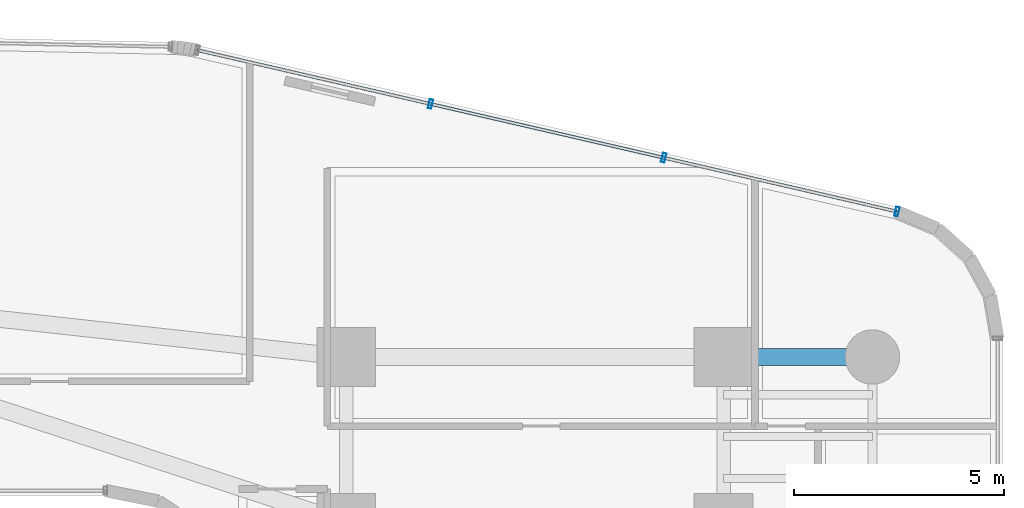
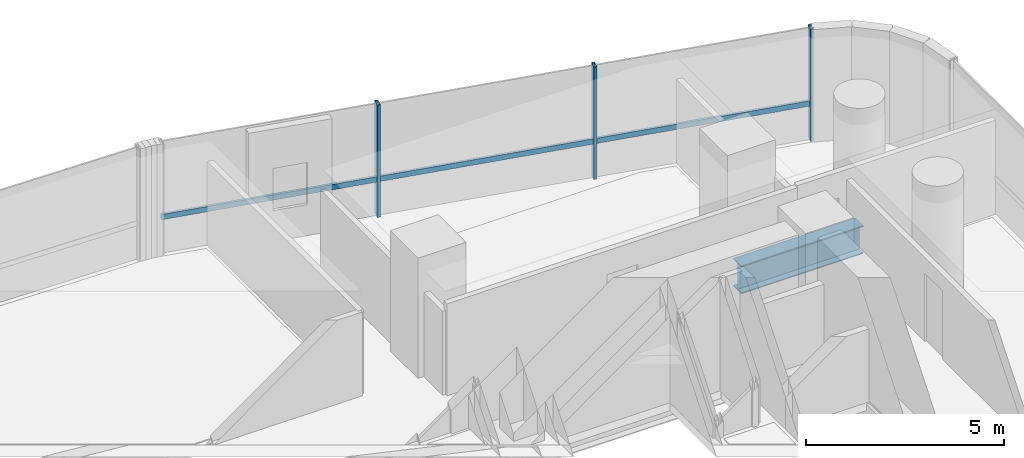
# One storey, part 24 of 39: 4 members, 1 beam, 1 element without a shape of its own.
"""IFC4 building model written with IfcOpenShell, lengths in metres."""

from ifc_helpers import new_model, si_unit, direction, frame, origin, origin_2d, place, context, subcontext, project, spatial, hollow_rectangle, i_section, extrude, source, transform, mapped, material, material_profile, profile_set, type_object, element, aggregate, save


model = new_model("IFC4")

# Units and contexts
model_context = context("Model", 3, precision=1e-05, world=origin(), true_north=direction((0.0, 1.0)))
body_context = subcontext(model_context, "Body", "Model", "MODEL_VIEW")
ifc_project = project(units=[si_unit("LENGTHUNIT", "METRE"), si_unit("AREAUNIT", "SQUARE_METRE"), si_unit("VOLUMEUNIT", "CUBIC_METRE"), si_unit("PLANEANGLEUNIT", "RADIAN"), si_unit("MASSUNIT", "GRAM", prefix="KILO")], contexts=[model_context])

# Site, building, storey
site_placement = place(None, origin())
site = spatial("IfcSite", under=ifc_project, at=site_placement, CompositionType="ELEMENT")
building_placement = place(site_placement, origin())
building = spatial("IfcBuilding", under=site, at=building_placement, Name="Valdorenza Pilgrim Sanctuary Tower", CompositionType="ELEMENT")
storey_placement = place(building_placement, frame((0.0, 0.0, 33.39990234375)))
storey = spatial("IfcBuildingStorey", under=building, at=storey_placement, Name="L07", CompositionType="ELEMENT", Elevation=33.39990234375)

# Beam
ifc_material_1 = material(Name="Steel ASTM A992 Grade 50", Category="steel")
ifc_material_profile_1 = material_profile(ifc_material_1, i_section(OverallWidth=0.39990234375, OverallDepth=0.862060546875, WebThickness=0.019775390625, FlangeThickness=0.032470703125, at=origin_2d()), Name="W33X221")
ifc_profile_set_1 = profile_set([ifc_material_profile_1], Name="Steel ASTM A992 Grade 50")
beam_type = type_object("IfcBeamType", Name="STR-BM-GRD-W33", PredefinedType="BEAM", material=ifc_profile_set_1)
shared_shape_1 = source(origin(), body_context, "Body", "SweptSolid", [
    extrude(i_section(OverallWidth=0.39990234375, OverallDepth=0.862060546875, WebThickness=0.019775390625, FlangeThickness=0.032470703125, at=origin_2d()), origin(), (0.0, 0.0, 1.0), 3.5498046875),
])
beam_placement = place(storey_placement, frame((24.85009765625, 13.5, -0.6708984375), z_axis=(1.0, 0.0, 0.0), x_axis=(0.0, 1.0, 0.0)))
element("IfcBeam", 1, at=beam_placement, inside=storey, type_object=beam_type, Name="L07 Floor Girder WB-XE-N2", PredefinedType="BEAM", context=body_context, shape_type="MappedRepresentation", body=[
    mapped(shared_shape_1, transform((0.0, 0.0, 0.0), x_axis=(1.0, 0.0, 0.0), y_axis=(0.0, 1.0, 0.0), z_axis=(0.0, 0.0, 1.0), scale=1.0)),
])

# Curtain wall, members
ifc_material_2 = material(Name="Curtain-wall IGU glazing", Category="glass")
curtain_wall_type = type_object("IfcCurtainWallType", Name="CW-SYS-03", PredefinedType="NOTDEFINED", material=ifc_material_2)
curtain_wall_placement = place(storey_placement, origin())
curtain_wall = element("IfcCurtainWall", 2, at=curtain_wall_placement, inside=storey, type_object=curtain_wall_type, Name="L07 Curtain Wall CW-L07-1-16", PredefinedType="NOTDEFINED")
ifc_material_3 = material(Name="Anodised aluminium AW-6060", Category="aluminium")
ifc_material_profile_2 = material_profile(ifc_material_3, hollow_rectangle(XDim=0.074951171875, YDim=0.159912109375, WallThickness=0.00390625, at=origin_2d()), Name="ALU-T 160x75x4")
ifc_profile_set_2 = profile_set([ifc_material_profile_2], Name="Anodised aluminium AW-6060")
member_type_1 = type_object("IfcMemberType", Name="CW-TRN-03", PredefinedType="USERDEFINED", material=ifc_profile_set_2)
shared_shape_2 = source(origin(), body_context, "Body", "SweptSolid", [
    extrude(hollow_rectangle(XDim=0.074951171875, YDim=0.159912109375, WallThickness=0.00390625, at=origin_2d()), origin(), (0.0, 0.0, 1.0), 17.125244140625),
])
member_1_placement = place(storey_placement, frame((12.299072265625, 20.818115234375, 1.1201171875), z_axis=(0.974390715149, -0.224861589051, 0.0), x_axis=(0.224861589051, 0.974390715149, 0.0)))
member_1 = element("IfcMember", 3, at=member_1_placement, type_object=member_type_1, Name="CW-L07-1-16 Transom 1", ObjectType="TRANSOM", PredefinedType="USERDEFINED", context=body_context, shape_type="MappedRepresentation", body=[
    mapped(shared_shape_2, transform((0.0, 0.0, 0.0), x_axis=(1.0, 0.0, 0.0), y_axis=(0.0, 1.0, 0.0), z_axis=(0.0, 0.0, 1.0), scale=1.0)),
])
ifc_material_profile_3 = material_profile(ifc_material_3, hollow_rectangle(XDim=0.0849609375, YDim=0.219970703125, WallThickness=0.0048828125, at=origin_2d()), Name="ALU-M 220x85x5")
ifc_profile_set_3 = profile_set([ifc_material_profile_3], Name="Anodised aluminium AW-6060")
member_type_2 = type_object("IfcMemberType", Name="CW-MUL-03", PredefinedType="MULLION", material=ifc_profile_set_3)
shared_shape_3 = source(origin(), body_context, "Body", "SweptSolid", [
    extrude(hollow_rectangle(XDim=0.0849609375, YDim=0.219970703125, WallThickness=0.0048828125, at=origin_2d()), origin(), (0.0, 0.0, 1.0), 3.460205078125),
])
member_2_placement = place(storey_placement, frame((17.861328125, 19.534423828125, 0.0), z_axis=(0.0, 0.0, 1.0), x_axis=(0.974389691758, -0.224866023659, 0.0)))
member_2 = element("IfcMember", 4, at=member_2_placement, type_object=member_type_2, Name="CW-L07-1-16 Mullion 2", PredefinedType="MULLION", context=body_context, shape_type="MappedRepresentation", body=[
    mapped(shared_shape_3, transform((0.0, 0.0, 0.0), x_axis=(1.0, 0.0, 0.0), y_axis=(0.0, 1.0, 0.0), z_axis=(0.0, 0.0, 1.0), scale=1.0)),
])
member_3_placement = place(storey_placement, frame((23.423583984375, 18.2509765625, 0.0), z_axis=(0.0, 0.0, 1.0), x_axis=(0.974389691758, -0.224866023659, 0.0)))
member_3 = element("IfcMember", 5, at=member_3_placement, type_object=member_type_2, Name="CW-L07-1-16 Mullion 3", PredefinedType="MULLION", context=body_context, shape_type="MappedRepresentation", body=[
    mapped(shared_shape_3, transform((0.0, 0.0, 0.0), x_axis=(1.0, 0.0, 0.0), y_axis=(0.0, 1.0, 0.0), z_axis=(0.0, 0.0, 1.0), scale=1.0)),
])
member_4_placement = place(storey_placement, frame((28.98583984375, 16.96728515625, 0.0), z_axis=(0.0, 0.0, 1.0), x_axis=(0.974389691758, -0.224866023659, 0.0)))
member_4 = element("IfcMember", 6, at=member_4_placement, type_object=member_type_2, Name="CW-L07-1-16 Mullion 4", PredefinedType="MULLION", context=body_context, shape_type="MappedRepresentation", body=[
    mapped(shared_shape_3, transform((0.0, 0.0, 0.0), x_axis=(1.0, 0.0, 0.0), y_axis=(0.0, 1.0, 0.0), z_axis=(0.0, 0.0, 1.0), scale=1.0)),
])
aggregate(curtain_wall, [member_2, member_3, member_4, member_1])

save(model, "model.ifc")
